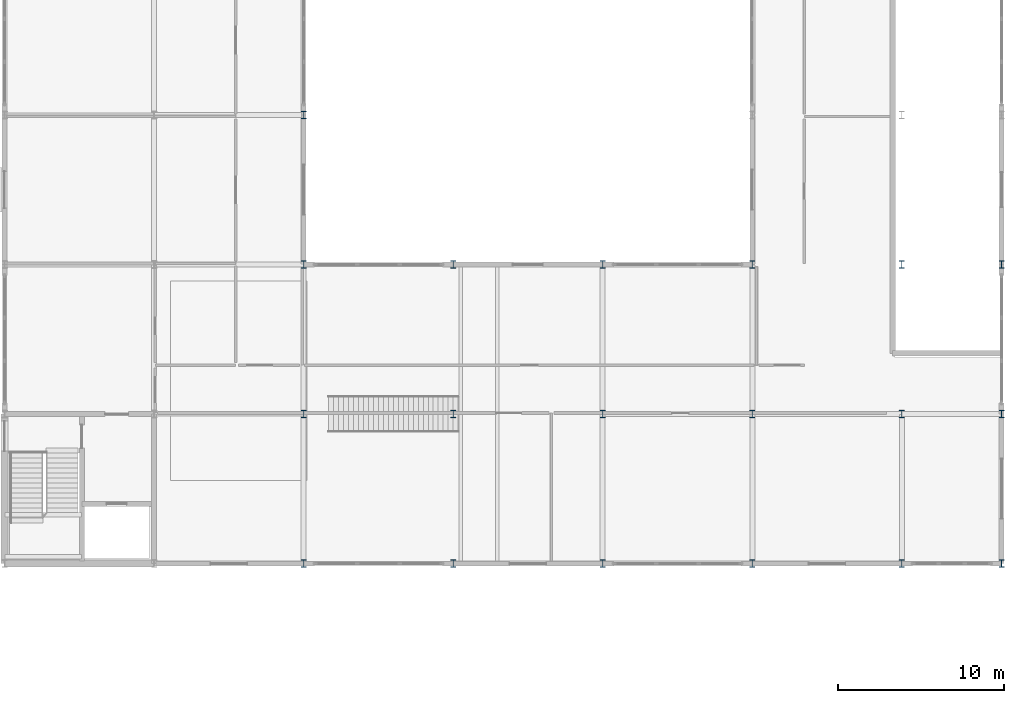
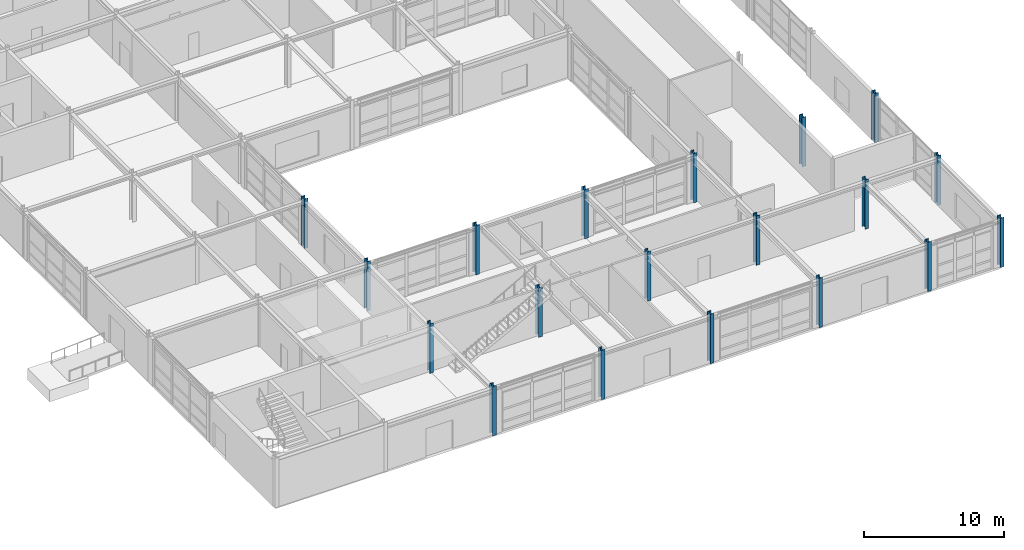
# One storey, part 15 of 72: 19 columns.
"""IFC4 building model written with IfcOpenShell, lengths in metres."""

from ifc_helpers import new_model, si_unit, direction, frame, origin, origin_2d, place, context, subcontext, project, spatial, i_section, extrude, material, material_profile, profile_set, type_object, element, save


model = new_model("IFC4")

# Units and contexts
model_context = context("Model", 3, precision=1e-05, world=origin(), true_north=direction((0.0, 1.0)))
body_context = subcontext(model_context, "Body", "Model", "MODEL_VIEW")
ifc_project = project(units=[si_unit("LENGTHUNIT", "METRE"), si_unit("AREAUNIT", "SQUARE_METRE"), si_unit("VOLUMEUNIT", "CUBIC_METRE"), si_unit("PLANEANGLEUNIT", "RADIAN"), si_unit("MASSUNIT", "GRAM", prefix="KILO")], contexts=[model_context])

# Site, building, storey
site_placement = place(None, origin())
site = spatial("IfcSite", under=ifc_project, at=site_placement, CompositionType="ELEMENT")
building_placement = place(site_placement, origin())
building = spatial("IfcBuilding", under=site, at=building_placement, Name="Palais des Congres Ocreval", CompositionType="ELEMENT")
storey_placement = place(building_placement, origin())
storey = spatial("IfcBuildingStorey", under=building, at=storey_placement, Name="L00", CompositionType="ELEMENT", Elevation=0.0)

# Columns
ifc_material = material(Name="Steel S355", Category="steel")
ifc_material_profile = material_profile(ifc_material, i_section(OverallWidth=0.300048828125, OverallDepth=0.449951171875, WebThickness=0.013916015625, FlangeThickness=0.02587890625, at=origin_2d()), Name="HEB 450")
ifc_profile_set = profile_set([ifc_material_profile], Name="Steel S355")
column_type = type_object("IfcColumnType", Name="Column HEB 450 Steel S355", PredefinedType="COLUMN", material=ifc_profile_set)
for number, where, z_axis, x_axis, name in (
    (1, (126.0, 0.0, 0.0), (0.0, 0.0, 1.0), (1.0, 0.0, 0.0), "Column C09 L00"),
    (2, (126.0, 9.0, 0.0), (0.0, 0.0, 1.0), (1.0, 0.0, 0.0), "Column C09 L00"),
    (3, (126.0, 18.0, 0.0), (0.0, 0.0, 1.0), (1.0, 0.0, 0.0), "Column C09 L00"),
    (4, (126.0, 27.0, 0.0), (0.0, 0.0, 1.0), (1.0, 0.0, 0.0), "Column C09 L00"),
    (5, (135.0, 0.0, 0.0), (0.0, 0.0, 1.0), (1.0, 0.0, 0.0), "Column C09 L00"),
    (6, (135.0, 9.0, 0.0), (0.0, 0.0, 1.0), (1.0, 0.0, 0.0), "Column C09 L00"),
    (7, (135.0, 18.0, 0.0), (0.0, 0.0, 1.0), (1.0, 0.0, 0.0), "Column C09 L00"),
    (8, (144.0, 0.0, 0.0), (0.0, 0.0, 1.0), (1.0, 0.0, 0.0), "Column C09 L00"),
    (9, (144.0, 9.0, 0.0), (0.0, 0.0, 1.0), (1.0, 0.0, 0.0), "Column C09 L00"),
    (10, (144.0, 18.0, 0.0), (0.0, 0.0, 1.0), (1.0, 0.0, 0.0), "Column C09 L00"),
    (11, (153.0, 0.0, 0.0), (0.0, 0.0, 1.0), (1.0, 0.0, 0.0), "Column C09 L00"),
    (12, (153.0, 9.0, 0.0), (0.0, 0.0, 1.0), (1.0, 0.0, 0.0), "Column C09 L00"),
    (13, (153.0, 18.0, 0.0), (0.0, 0.0, 1.0), (1.0, 0.0, 0.0), "Column C09 L00"),
    (14, (162.0, 0.0, 0.0), (0.0, 0.0, 1.0), (1.0, 0.0, 0.0), "Column C09 L00"),
    (15, (162.0, 9.0, 0.0), (0.0, 0.0, 1.0), (1.0, 0.0, 0.0), "Column C09 L00"),
    (16, (162.0, 18.0, 0.0), (0.0, 0.0, 1.0), (1.0, 0.0, 0.0), "Column C09 L00"),
    (17, (168.0, 0.0, 0.0), (0.0, 0.0, 1.0), (1.0, 0.0, 0.0), "Column C09 L00"),
    (18, (168.0, 9.0, 0.0), (0.0, 0.0, 1.0), (1.0, 0.0, 0.0), "Column C09 L00"),
    (19, (168.0, 18.0, 0.0), (0.0, 0.0, 1.0), (1.0, 0.0, 0.0), "Column C09 L00"),
):
    element("IfcColumn", number, at=place(storey_placement, frame(where, z_axis=z_axis, x_axis=x_axis)), inside=storey, type_object=column_type, Name=name, PredefinedType="COLUMN", context=body_context, shape_type="SweptSolid", body=[
        extrude(i_section(OverallWidth=0.300048828125, OverallDepth=0.449951171875, WebThickness=0.013916015625, FlangeThickness=0.02587890625, at=origin_2d()), origin(), (0.0, 0.0, 1.0), 4.320068359375),
    ])

save(model, "model.ifc")
